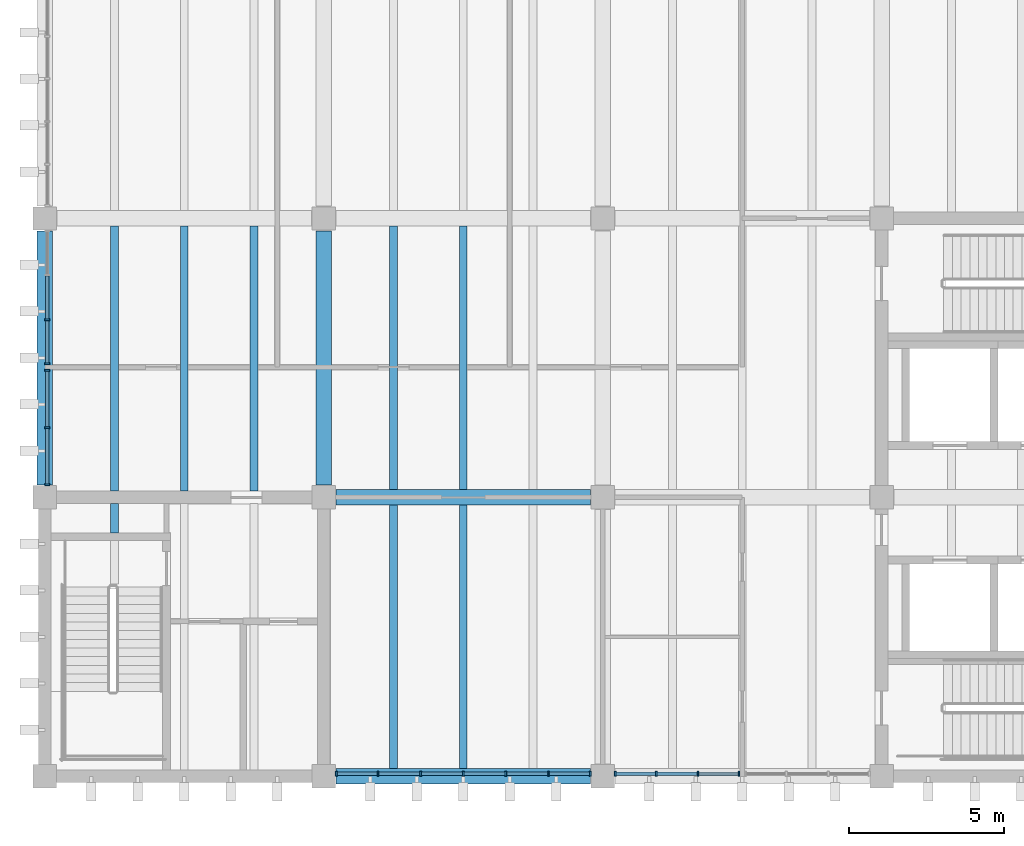
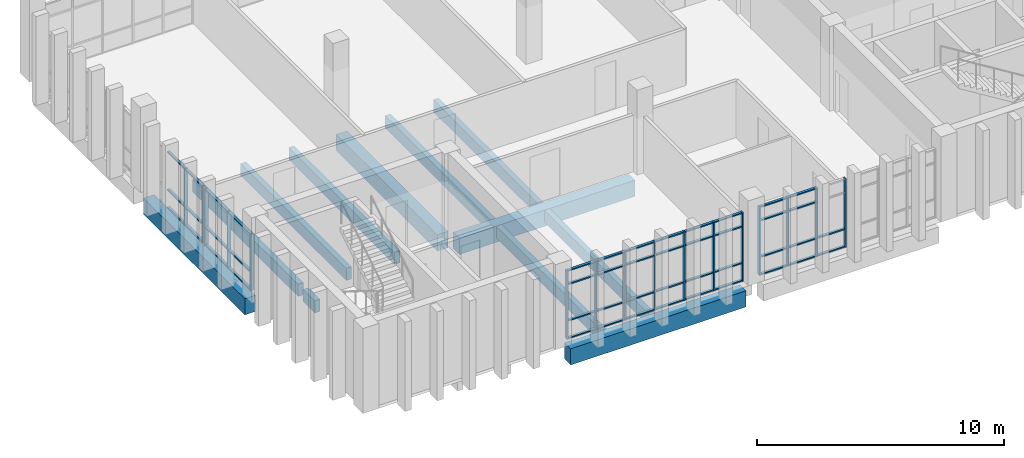
# One storey, part 2 of 14: 62 members, 12 beams, 4 elements without a shape of their own.
"""IFC4 building model written with IfcOpenShell, lengths in metres."""

from ifc_helpers import new_model, si_unit, direction, frame, origin, origin_2d, place, context, subcontext, project, spatial, rectangle, extrude, material, material_profile, profile_set, type_object, element, aggregate, save


model = new_model("IFC4")

# Units and contexts
model_context = context("Model", 3, precision=1e-05, world=origin(), true_north=direction((0.0, 1.0)))
body_context = subcontext(model_context, "Body", "Model", "MODEL_VIEW")
ifc_project = project(units=[si_unit("LENGTHUNIT", "METRE"), si_unit("AREAUNIT", "SQUARE_METRE"), si_unit("VOLUMEUNIT", "CUBIC_METRE"), si_unit("PLANEANGLEUNIT", "RADIAN"), si_unit("MASSUNIT", "GRAM", prefix="KILO")], contexts=[model_context])

# Site, building, storey
site_placement = place(None, origin())
site = spatial("IfcSite", under=ifc_project, at=site_placement, CompositionType="ELEMENT")
building_placement = place(site_placement, origin())
building = spatial("IfcBuilding", under=site, at=building_placement, Name="Merrow Basin Faculty of Sciences", CompositionType="ELEMENT")
storey_placement = place(building_placement, frame((0.0, 0.0, 27.0)))
storey = spatial("IfcBuildingStorey", under=building, at=storey_placement, Name="L06", CompositionType="ELEMENT", Elevation=27.0)

# Curtain wall, members
ifc_material_1 = material(Name="Aluminium alloy 6063", Category="aluminium")
curtain_wall_type = type_object("IfcCurtainWallType", Name="Unitised curtain wall 160", PredefinedType="NOTDEFINED", material=ifc_material_1)
curtain_wall_1_placement = place(storey_placement, origin())
curtain_wall_1 = element("IfcCurtainWall", 1, at=curtain_wall_1_placement, inside=storey, type_object=curtain_wall_type, Name="W curtain wall L06 1", PredefinedType="NOTDEFINED")
ifc_material_2 = material(Name="Aluminium alloy 6063", Category="aluminium")
ifc_material_profile_1 = material_profile(ifc_material_2, rectangle(XDim=0.159912109375, YDim=0.06005859375, at=origin_2d()))
ifc_profile_set_1 = profile_set([ifc_material_profile_1], Name="Aluminium alloy 6063")
member_type_1 = type_object("IfcMemberType", Name="Aluminium mullion 60x160", PredefinedType="MULLION", material=ifc_profile_set_1)
member_1_placement = place(storey_placement, frame((18.080078125, 151.405029296875, 0.0), z_axis=(0.0, 0.0, 1.0), x_axis=(-1.0, 0.0, 0.0)))
member_1 = element("IfcMember", 2, at=member_1_placement, type_object=member_type_1, Name="CW3 mullion 1", PredefinedType="MULLION", context=body_context, shape_type="SweptSolid", body=[
    extrude(rectangle(XDim=0.159912109375, YDim=0.06005859375, at=origin_2d()), origin(), (0.0, 0.0, 1.0), 2.800048828125),
])
member_2_placement = place(storey_placement, frame((18.080078125, 153.25, 0.0), z_axis=(0.0, 0.0, 1.0), x_axis=(-1.0, 0.0, 0.0)))
member_2 = element("IfcMember", 3, at=member_2_placement, type_object=member_type_1, Name="CW3 mullion 2", PredefinedType="MULLION", context=body_context, shape_type="SweptSolid", body=[
    extrude(rectangle(XDim=0.159912109375, YDim=0.06005859375, at=origin_2d()), origin(), (0.0, 0.0, 1.0), 2.800048828125),
])
member_3_placement = place(storey_placement, frame((18.080078125, 155.094970703125, 0.0), z_axis=(0.0, 0.0, 1.0), x_axis=(-1.0, 0.0, 0.0)))
member_3 = element("IfcMember", 4, at=member_3_placement, type_object=member_type_1, Name="CW3 mullion 3", PredefinedType="MULLION", context=body_context, shape_type="SweptSolid", body=[
    extrude(rectangle(XDim=0.159912109375, YDim=0.06005859375, at=origin_2d()), origin(), (0.0, 0.0, 1.0), 2.800048828125),
])

curtain_wall_2_placement = place(storey_placement, origin())
curtain_wall_2 = element("IfcCurtainWall", 5, at=curtain_wall_2_placement, inside=storey, type_object=curtain_wall_type, Name="W curtain wall L06 2", PredefinedType="NOTDEFINED")
member_4_placement = place(storey_placement, frame((18.080078125, 155.304931640625, 0.0), z_axis=(0.0, 0.0, 1.0), x_axis=(-1.0, 0.0, 0.0)))
member_4 = element("IfcMember", 6, at=member_4_placement, type_object=member_type_1, Name="CW3 mullion 1", PredefinedType="MULLION", context=body_context, shape_type="SweptSolid", body=[
    extrude(rectangle(XDim=0.159912109375, YDim=0.06005859375, at=origin_2d()), origin(), (0.0, 0.0, 1.0), 2.800048828125),
])
member_5_placement = place(storey_placement, frame((18.080078125, 156.72509765625, 0.0), z_axis=(0.0, 0.0, 1.0), x_axis=(-1.0, 0.0, 0.0)))
member_5 = element("IfcMember", 7, at=member_5_placement, type_object=member_type_1, Name="CW3 mullion 2", PredefinedType="MULLION", context=body_context, shape_type="SweptSolid", body=[
    extrude(rectangle(XDim=0.159912109375, YDim=0.06005859375, at=origin_2d()), origin(), (0.0, 0.0, 1.0), 2.800048828125),
])

curtain_wall_3_placement = place(storey_placement, origin())
curtain_wall_3 = element("IfcCurtainWall", 8, at=curtain_wall_3_placement, inside=storey, type_object=curtain_wall_type, Name="S curtain wall L06 1", PredefinedType="NOTDEFINED")
member_6_placement = place(storey_placement, frame((27.405029296875, 142.080078125, 0.0), z_axis=(0.0, 0.0, 1.0), x_axis=(0.0, 1.0, 0.0)))
member_6 = element("IfcMember", 9, at=member_6_placement, type_object=member_type_1, Name="CW3 mullion 1", PredefinedType="MULLION", context=body_context, shape_type="SweptSolid", body=[
    extrude(rectangle(XDim=0.159912109375, YDim=0.06005859375, at=origin_2d()), origin(), (0.0, 0.0, 1.0), 3.39990234375),
])
member_7_placement = place(storey_placement, frame((28.75, 142.080078125, 0.0), z_axis=(0.0, 0.0, 1.0), x_axis=(0.0, 1.0, 0.0)))
member_7 = element("IfcMember", 10, at=member_7_placement, type_object=member_type_1, Name="CW3 mullion 2", PredefinedType="MULLION", context=body_context, shape_type="SweptSolid", body=[
    extrude(rectangle(XDim=0.159912109375, YDim=0.06005859375, at=origin_2d()), origin(), (0.0, 0.0, 1.0), 3.39990234375),
])
member_8_placement = place(storey_placement, frame((30.125, 142.080078125, 0.0), z_axis=(0.0, 0.0, 1.0), x_axis=(0.0, 1.0, 0.0)))
member_8 = element("IfcMember", 11, at=member_8_placement, type_object=member_type_1, Name="CW3 mullion 3", PredefinedType="MULLION", context=body_context, shape_type="SweptSolid", body=[
    extrude(rectangle(XDim=0.159912109375, YDim=0.06005859375, at=origin_2d()), origin(), (0.0, 0.0, 1.0), 3.39990234375),
])
member_9_placement = place(storey_placement, frame((31.5, 142.080078125, 0.0), z_axis=(0.0, 0.0, 1.0), x_axis=(0.0, 1.0, 0.0)))
member_9 = element("IfcMember", 12, at=member_9_placement, type_object=member_type_1, Name="CW3 mullion 4", PredefinedType="MULLION", context=body_context, shape_type="SweptSolid", body=[
    extrude(rectangle(XDim=0.159912109375, YDim=0.06005859375, at=origin_2d()), origin(), (0.0, 0.0, 1.0), 3.39990234375),
])
member_10_placement = place(storey_placement, frame((32.875, 142.080078125, 0.0), z_axis=(0.0, 0.0, 1.0), x_axis=(0.0, 1.0, 0.0)))
member_10 = element("IfcMember", 13, at=member_10_placement, type_object=member_type_1, Name="CW3 mullion 5", PredefinedType="MULLION", context=body_context, shape_type="SweptSolid", body=[
    extrude(rectangle(XDim=0.159912109375, YDim=0.06005859375, at=origin_2d()), origin(), (0.0, 0.0, 1.0), 3.39990234375),
])
member_11_placement = place(storey_placement, frame((34.25, 142.080078125, 0.0), z_axis=(0.0, 0.0, 1.0), x_axis=(0.0, 1.0, 0.0)))
member_11 = element("IfcMember", 14, at=member_11_placement, type_object=member_type_1, Name="CW3 mullion 6", PredefinedType="MULLION", context=body_context, shape_type="SweptSolid", body=[
    extrude(rectangle(XDim=0.159912109375, YDim=0.06005859375, at=origin_2d()), origin(), (0.0, 0.0, 1.0), 3.39990234375),
])
member_12_placement = place(storey_placement, frame((35.594970703125, 142.080078125, 0.0), z_axis=(0.0, 0.0, 1.0), x_axis=(0.0, 1.0, 0.0)))
member_12 = element("IfcMember", 15, at=member_12_placement, type_object=member_type_1, Name="CW3 mullion 7", PredefinedType="MULLION", context=body_context, shape_type="SweptSolid", body=[
    extrude(rectangle(XDim=0.159912109375, YDim=0.06005859375, at=origin_2d()), origin(), (0.0, 0.0, 1.0), 3.39990234375),
])

curtain_wall_4_placement = place(storey_placement, origin())
curtain_wall_4 = element("IfcCurtainWall", 16, at=curtain_wall_4_placement, inside=storey, type_object=curtain_wall_type, Name="S curtain wall L06 2", PredefinedType="NOTDEFINED")
member_13_placement = place(storey_placement, frame((36.405029296875, 142.080078125, 0.0), z_axis=(0.0, 0.0, 1.0), x_axis=(0.0, 1.0, 0.0)))
member_13 = element("IfcMember", 17, at=member_13_placement, type_object=member_type_1, Name="CW3 mullion 1", PredefinedType="MULLION", context=body_context, shape_type="SweptSolid", body=[
    extrude(rectangle(XDim=0.159912109375, YDim=0.06005859375, at=origin_2d()), origin(), (0.0, 0.0, 1.0), 3.39990234375),
])
member_14_placement = place(storey_placement, frame((37.72509765625, 142.080078125, 0.0), z_axis=(0.0, 0.0, 1.0), x_axis=(0.0, 1.0, 0.0)))
member_14 = element("IfcMember", 18, at=member_14_placement, type_object=member_type_1, Name="CW3 mullion 2", PredefinedType="MULLION", context=body_context, shape_type="SweptSolid", body=[
    extrude(rectangle(XDim=0.159912109375, YDim=0.06005859375, at=origin_2d()), origin(), (0.0, 0.0, 1.0), 3.39990234375),
])
member_15_placement = place(storey_placement, frame((39.074951171875, 142.080078125, 0.0), z_axis=(0.0, 0.0, 1.0), x_axis=(0.0, 1.0, 0.0)))
member_15 = element("IfcMember", 19, at=member_15_placement, type_object=member_type_1, Name="CW3 mullion 3", PredefinedType="MULLION", context=body_context, shape_type="SweptSolid", body=[
    extrude(rectangle(XDim=0.159912109375, YDim=0.06005859375, at=origin_2d()), origin(), (0.0, 0.0, 1.0), 3.39990234375),
])
member_16_placement = place(storey_placement, frame((40.39501953125, 142.080078125, 0.0), z_axis=(0.0, 0.0, 1.0), x_axis=(0.0, 1.0, 0.0)))
member_16 = element("IfcMember", 20, at=member_16_placement, type_object=member_type_1, Name="CW3 mullion 4", PredefinedType="MULLION", context=body_context, shape_type="SweptSolid", body=[
    extrude(rectangle(XDim=0.159912109375, YDim=0.06005859375, at=origin_2d()), origin(), (0.0, 0.0, 1.0), 3.39990234375),
])

# Member
ifc_material_3 = material(Name="Aluminium alloy 6063", Category="aluminium")
ifc_material_profile_2 = material_profile(ifc_material_3, rectangle(XDim=0.1201171875, YDim=0.06005859375, at=origin_2d()))
ifc_profile_set_2 = profile_set([ifc_material_profile_2], Name="Aluminium alloy 6063")
member_type_2 = type_object("IfcMemberType", Name="Aluminium transom 60x120", PredefinedType="USERDEFINED", material=ifc_profile_set_2)
member_17_placement = place(storey_placement, frame((18.080078125, 151.43505859375, 0.030029296875), z_axis=(0.0, 1.0, 0.0), x_axis=(-1.0, 0.0, 0.0)))
member_17 = element("IfcMember", 21, at=member_17_placement, type_object=member_type_2, Name="CW3 transom 1.1", ObjectType="TRANSOM", PredefinedType="USERDEFINED", context=body_context, shape_type="SweptSolid", body=[
    extrude(rectangle(XDim=0.1201171875, YDim=0.06005859375, at=origin_2d()), origin(), (0.0, 0.0, 1.0), 1.784912109375),
])

member_18_placement = place(storey_placement, frame((18.080078125, 151.43505859375, 0.89990234375), z_axis=(0.0, 1.0, 0.0), x_axis=(-1.0, 0.0, 0.0)))
member_18 = element("IfcMember", 22, at=member_18_placement, type_object=member_type_2, Name="CW3 transom 1.2", ObjectType="TRANSOM", PredefinedType="USERDEFINED", context=body_context, shape_type="SweptSolid", body=[
    extrude(rectangle(XDim=0.1201171875, YDim=0.06005859375, at=origin_2d()), origin(), (0.0, 0.0, 1.0), 1.784912109375),
])

member_19_placement = place(storey_placement, frame((18.080078125, 151.43505859375, 2.77001953125), z_axis=(0.0, 1.0, 0.0), x_axis=(-1.0, 0.0, 0.0)))
member_19 = element("IfcMember", 23, at=member_19_placement, type_object=member_type_2, Name="CW3 transom 1.3", ObjectType="TRANSOM", PredefinedType="USERDEFINED", context=body_context, shape_type="SweptSolid", body=[
    extrude(rectangle(XDim=0.1201171875, YDim=0.06005859375, at=origin_2d()), origin(), (0.0, 0.0, 1.0), 1.784912109375),
])

member_20_placement = place(storey_placement, frame((18.080078125, 153.280029296875, 0.030029296875), z_axis=(0.0, 1.0, 0.0), x_axis=(-1.0, 0.0, 0.0)))
member_20 = element("IfcMember", 24, at=member_20_placement, type_object=member_type_2, Name="CW3 transom 2.1", ObjectType="TRANSOM", PredefinedType="USERDEFINED", context=body_context, shape_type="SweptSolid", body=[
    extrude(rectangle(XDim=0.1201171875, YDim=0.06005859375, at=origin_2d()), origin(), (0.0, 0.0, 1.0), 1.784912109375),
])

member_21_placement = place(storey_placement, frame((18.080078125, 153.280029296875, 0.89990234375), z_axis=(0.0, 1.0, 0.0), x_axis=(-1.0, 0.0, 0.0)))
member_21 = element("IfcMember", 25, at=member_21_placement, type_object=member_type_2, Name="CW3 transom 2.2", ObjectType="TRANSOM", PredefinedType="USERDEFINED", context=body_context, shape_type="SweptSolid", body=[
    extrude(rectangle(XDim=0.1201171875, YDim=0.06005859375, at=origin_2d()), origin(), (0.0, 0.0, 1.0), 1.784912109375),
])

member_22_placement = place(storey_placement, frame((18.080078125, 153.280029296875, 2.77001953125), z_axis=(0.0, 1.0, 0.0), x_axis=(-1.0, 0.0, 0.0)))
member_22 = element("IfcMember", 26, at=member_22_placement, type_object=member_type_2, Name="CW3 transom 2.3", ObjectType="TRANSOM", PredefinedType="USERDEFINED", context=body_context, shape_type="SweptSolid", body=[
    extrude(rectangle(XDim=0.1201171875, YDim=0.06005859375, at=origin_2d()), origin(), (0.0, 0.0, 1.0), 1.784912109375),
])

aggregate(curtain_wall_1, [member_1, member_2, member_3, member_17, member_18, member_19, member_20, member_21, member_22])

member_23_placement = place(storey_placement, frame((18.080078125, 155.3349609375, 0.030029296875), z_axis=(0.0, 1.0, 0.0), x_axis=(-1.0, 0.0, 0.0)))
member_23 = element("IfcMember", 27, at=member_23_placement, type_object=member_type_2, Name="CW3 transom 1.1", ObjectType="TRANSOM", PredefinedType="USERDEFINED", context=body_context, shape_type="SweptSolid", body=[
    extrude(rectangle(XDim=0.1201171875, YDim=0.06005859375, at=origin_2d()), origin(), (0.0, 0.0, 1.0), 1.360107421875),
])

member_24_placement = place(storey_placement, frame((18.080078125, 155.3349609375, 0.89990234375), z_axis=(0.0, 1.0, 0.0), x_axis=(-1.0, 0.0, 0.0)))
member_24 = element("IfcMember", 28, at=member_24_placement, type_object=member_type_2, Name="CW3 transom 1.2", ObjectType="TRANSOM", PredefinedType="USERDEFINED", context=body_context, shape_type="SweptSolid", body=[
    extrude(rectangle(XDim=0.1201171875, YDim=0.06005859375, at=origin_2d()), origin(), (0.0, 0.0, 1.0), 1.360107421875),
])

member_25_placement = place(storey_placement, frame((18.080078125, 155.3349609375, 2.77001953125), z_axis=(0.0, 1.0, 0.0), x_axis=(-1.0, 0.0, 0.0)))
member_25 = element("IfcMember", 29, at=member_25_placement, type_object=member_type_2, Name="CW3 transom 1.3", ObjectType="TRANSOM", PredefinedType="USERDEFINED", context=body_context, shape_type="SweptSolid", body=[
    extrude(rectangle(XDim=0.1201171875, YDim=0.06005859375, at=origin_2d()), origin(), (0.0, 0.0, 1.0), 1.360107421875),
])

member_26_placement = place(storey_placement, frame((18.080078125, 156.7548828125, 0.030029296875), z_axis=(0.0, 1.0, 0.0), x_axis=(-1.0, 0.0, 0.0)))
member_26 = element("IfcMember", 30, at=member_26_placement, type_object=member_type_2, Name="CW3 transom 2.1", ObjectType="TRANSOM", PredefinedType="USERDEFINED", context=body_context, shape_type="SweptSolid", body=[
    extrude(rectangle(XDim=0.1201171875, YDim=0.06005859375, at=origin_2d()), origin(), (0.0, 0.0, 1.0), 1.39013671875),
])

member_27_placement = place(storey_placement, frame((18.080078125, 156.7548828125, 0.89990234375), z_axis=(0.0, 1.0, 0.0), x_axis=(-1.0, 0.0, 0.0)))
member_27 = element("IfcMember", 31, at=member_27_placement, type_object=member_type_2, Name="CW3 transom 2.2", ObjectType="TRANSOM", PredefinedType="USERDEFINED", context=body_context, shape_type="SweptSolid", body=[
    extrude(rectangle(XDim=0.1201171875, YDim=0.06005859375, at=origin_2d()), origin(), (0.0, 0.0, 1.0), 1.39013671875),
])

member_28_placement = place(storey_placement, frame((18.080078125, 156.7548828125, 2.77001953125), z_axis=(0.0, 1.0, 0.0), x_axis=(-1.0, 0.0, 0.0)))
member_28 = element("IfcMember", 32, at=member_28_placement, type_object=member_type_2, Name="CW3 transom 2.3", ObjectType="TRANSOM", PredefinedType="USERDEFINED", context=body_context, shape_type="SweptSolid", body=[
    extrude(rectangle(XDim=0.1201171875, YDim=0.06005859375, at=origin_2d()), origin(), (0.0, 0.0, 1.0), 1.39013671875),
])

aggregate(curtain_wall_2, [member_4, member_5, member_23, member_24, member_25, member_26, member_27, member_28])

member_29_placement = place(storey_placement, frame((27.43505859375, 142.080078125, 0.030029296875), z_axis=(1.0, 0.0, 0.0), x_axis=(0.0, 1.0, 0.0)))
member_29 = element("IfcMember", 33, at=member_29_placement, type_object=member_type_2, Name="CW3 transom 1.1", ObjectType="TRANSOM", PredefinedType="USERDEFINED", context=body_context, shape_type="SweptSolid", body=[
    extrude(rectangle(XDim=0.1201171875, YDim=0.06005859375, at=origin_2d()), origin(), (0.0, 0.0, 1.0), 1.284912109375),
])

member_30_placement = place(storey_placement, frame((27.43505859375, 142.080078125, 0.89990234375), z_axis=(1.0, 0.0, 0.0), x_axis=(0.0, 1.0, 0.0)))
member_30 = element("IfcMember", 34, at=member_30_placement, type_object=member_type_2, Name="CW3 transom 1.2", ObjectType="TRANSOM", PredefinedType="USERDEFINED", context=body_context, shape_type="SweptSolid", body=[
    extrude(rectangle(XDim=0.1201171875, YDim=0.06005859375, at=origin_2d()), origin(), (0.0, 0.0, 1.0), 1.284912109375),
])

member_31_placement = place(storey_placement, frame((27.43505859375, 142.080078125, 2.699951171875), z_axis=(1.0, 0.0, 0.0), x_axis=(0.0, 1.0, 0.0)))
member_31 = element("IfcMember", 35, at=member_31_placement, type_object=member_type_2, Name="CW3 transom 1.3", ObjectType="TRANSOM", PredefinedType="USERDEFINED", context=body_context, shape_type="SweptSolid", body=[
    extrude(rectangle(XDim=0.1201171875, YDim=0.06005859375, at=origin_2d()), origin(), (0.0, 0.0, 1.0), 1.284912109375),
])

member_32_placement = place(storey_placement, frame((27.43505859375, 142.080078125, 3.3701171875), z_axis=(1.0, 0.0, 0.0), x_axis=(0.0, 1.0, 0.0)))
member_32 = element("IfcMember", 36, at=member_32_placement, type_object=member_type_2, Name="CW3 transom 1.4", ObjectType="TRANSOM", PredefinedType="USERDEFINED", context=body_context, shape_type="SweptSolid", body=[
    extrude(rectangle(XDim=0.1201171875, YDim=0.06005859375, at=origin_2d()), origin(), (0.0, 0.0, 1.0), 1.284912109375),
])

member_33_placement = place(storey_placement, frame((28.780029296875, 142.080078125, 0.030029296875), z_axis=(1.0, 0.0, 0.0), x_axis=(0.0, 1.0, 0.0)))
member_33 = element("IfcMember", 37, at=member_33_placement, type_object=member_type_2, Name="CW3 transom 2.1", ObjectType="TRANSOM", PredefinedType="USERDEFINED", context=body_context, shape_type="SweptSolid", body=[
    extrude(rectangle(XDim=0.1201171875, YDim=0.06005859375, at=origin_2d()), origin(), (0.0, 0.0, 1.0), 1.31494140625),
])

member_34_placement = place(storey_placement, frame((28.780029296875, 142.080078125, 0.89990234375), z_axis=(1.0, 0.0, 0.0), x_axis=(0.0, 1.0, 0.0)))
member_34 = element("IfcMember", 38, at=member_34_placement, type_object=member_type_2, Name="CW3 transom 2.2", ObjectType="TRANSOM", PredefinedType="USERDEFINED", context=body_context, shape_type="SweptSolid", body=[
    extrude(rectangle(XDim=0.1201171875, YDim=0.06005859375, at=origin_2d()), origin(), (0.0, 0.0, 1.0), 1.31494140625),
])

member_35_placement = place(storey_placement, frame((28.780029296875, 142.080078125, 2.699951171875), z_axis=(1.0, 0.0, 0.0), x_axis=(0.0, 1.0, 0.0)))
member_35 = element("IfcMember", 39, at=member_35_placement, type_object=member_type_2, Name="CW3 transom 2.3", ObjectType="TRANSOM", PredefinedType="USERDEFINED", context=body_context, shape_type="SweptSolid", body=[
    extrude(rectangle(XDim=0.1201171875, YDim=0.06005859375, at=origin_2d()), origin(), (0.0, 0.0, 1.0), 1.31494140625),
])

member_36_placement = place(storey_placement, frame((28.780029296875, 142.080078125, 3.3701171875), z_axis=(1.0, 0.0, 0.0), x_axis=(0.0, 1.0, 0.0)))
member_36 = element("IfcMember", 40, at=member_36_placement, type_object=member_type_2, Name="CW3 transom 2.4", ObjectType="TRANSOM", PredefinedType="USERDEFINED", context=body_context, shape_type="SweptSolid", body=[
    extrude(rectangle(XDim=0.1201171875, YDim=0.06005859375, at=origin_2d()), origin(), (0.0, 0.0, 1.0), 1.31494140625),
])

member_37_placement = place(storey_placement, frame((30.155029296875, 142.080078125, 0.030029296875), z_axis=(1.0, 0.0, 0.0), x_axis=(0.0, 1.0, 0.0)))
member_37 = element("IfcMember", 41, at=member_37_placement, type_object=member_type_2, Name="CW3 transom 3.1", ObjectType="TRANSOM", PredefinedType="USERDEFINED", context=body_context, shape_type="SweptSolid", body=[
    extrude(rectangle(XDim=0.1201171875, YDim=0.06005859375, at=origin_2d()), origin(), (0.0, 0.0, 1.0), 1.31494140625),
])

member_38_placement = place(storey_placement, frame((30.155029296875, 142.080078125, 0.89990234375), z_axis=(1.0, 0.0, 0.0), x_axis=(0.0, 1.0, 0.0)))
member_38 = element("IfcMember", 42, at=member_38_placement, type_object=member_type_2, Name="CW3 transom 3.2", ObjectType="TRANSOM", PredefinedType="USERDEFINED", context=body_context, shape_type="SweptSolid", body=[
    extrude(rectangle(XDim=0.1201171875, YDim=0.06005859375, at=origin_2d()), origin(), (0.0, 0.0, 1.0), 1.31494140625),
])

member_39_placement = place(storey_placement, frame((30.155029296875, 142.080078125, 2.699951171875), z_axis=(1.0, 0.0, 0.0), x_axis=(0.0, 1.0, 0.0)))
member_39 = element("IfcMember", 43, at=member_39_placement, type_object=member_type_2, Name="CW3 transom 3.3", ObjectType="TRANSOM", PredefinedType="USERDEFINED", context=body_context, shape_type="SweptSolid", body=[
    extrude(rectangle(XDim=0.1201171875, YDim=0.06005859375, at=origin_2d()), origin(), (0.0, 0.0, 1.0), 1.31494140625),
])

member_40_placement = place(storey_placement, frame((30.155029296875, 142.080078125, 3.3701171875), z_axis=(1.0, 0.0, 0.0), x_axis=(0.0, 1.0, 0.0)))
member_40 = element("IfcMember", 44, at=member_40_placement, type_object=member_type_2, Name="CW3 transom 3.4", ObjectType="TRANSOM", PredefinedType="USERDEFINED", context=body_context, shape_type="SweptSolid", body=[
    extrude(rectangle(XDim=0.1201171875, YDim=0.06005859375, at=origin_2d()), origin(), (0.0, 0.0, 1.0), 1.31494140625),
])

member_41_placement = place(storey_placement, frame((31.530029296875, 142.080078125, 0.030029296875), z_axis=(1.0, 0.0, 0.0), x_axis=(0.0, 1.0, 0.0)))
member_41 = element("IfcMember", 45, at=member_41_placement, type_object=member_type_2, Name="CW3 transom 4.1", ObjectType="TRANSOM", PredefinedType="USERDEFINED", context=body_context, shape_type="SweptSolid", body=[
    extrude(rectangle(XDim=0.1201171875, YDim=0.06005859375, at=origin_2d()), origin(), (0.0, 0.0, 1.0), 1.31494140625),
])

member_42_placement = place(storey_placement, frame((31.530029296875, 142.080078125, 0.89990234375), z_axis=(1.0, 0.0, 0.0), x_axis=(0.0, 1.0, 0.0)))
member_42 = element("IfcMember", 46, at=member_42_placement, type_object=member_type_2, Name="CW3 transom 4.2", ObjectType="TRANSOM", PredefinedType="USERDEFINED", context=body_context, shape_type="SweptSolid", body=[
    extrude(rectangle(XDim=0.1201171875, YDim=0.06005859375, at=origin_2d()), origin(), (0.0, 0.0, 1.0), 1.31494140625),
])

member_43_placement = place(storey_placement, frame((31.530029296875, 142.080078125, 2.699951171875), z_axis=(1.0, 0.0, 0.0), x_axis=(0.0, 1.0, 0.0)))
member_43 = element("IfcMember", 47, at=member_43_placement, type_object=member_type_2, Name="CW3 transom 4.3", ObjectType="TRANSOM", PredefinedType="USERDEFINED", context=body_context, shape_type="SweptSolid", body=[
    extrude(rectangle(XDim=0.1201171875, YDim=0.06005859375, at=origin_2d()), origin(), (0.0, 0.0, 1.0), 1.31494140625),
])

member_44_placement = place(storey_placement, frame((31.530029296875, 142.080078125, 3.3701171875), z_axis=(1.0, 0.0, 0.0), x_axis=(0.0, 1.0, 0.0)))
member_44 = element("IfcMember", 48, at=member_44_placement, type_object=member_type_2, Name="CW3 transom 4.4", ObjectType="TRANSOM", PredefinedType="USERDEFINED", context=body_context, shape_type="SweptSolid", body=[
    extrude(rectangle(XDim=0.1201171875, YDim=0.06005859375, at=origin_2d()), origin(), (0.0, 0.0, 1.0), 1.31494140625),
])

member_45_placement = place(storey_placement, frame((32.905029296875, 142.080078125, 0.030029296875), z_axis=(1.0, 0.0, 0.0), x_axis=(0.0, 1.0, 0.0)))
member_45 = element("IfcMember", 49, at=member_45_placement, type_object=member_type_2, Name="CW3 transom 5.1", ObjectType="TRANSOM", PredefinedType="USERDEFINED", context=body_context, shape_type="SweptSolid", body=[
    extrude(rectangle(XDim=0.1201171875, YDim=0.06005859375, at=origin_2d()), origin(), (0.0, 0.0, 1.0), 1.31494140625),
])

member_46_placement = place(storey_placement, frame((32.905029296875, 142.080078125, 0.89990234375), z_axis=(1.0, 0.0, 0.0), x_axis=(0.0, 1.0, 0.0)))
member_46 = element("IfcMember", 50, at=member_46_placement, type_object=member_type_2, Name="CW3 transom 5.2", ObjectType="TRANSOM", PredefinedType="USERDEFINED", context=body_context, shape_type="SweptSolid", body=[
    extrude(rectangle(XDim=0.1201171875, YDim=0.06005859375, at=origin_2d()), origin(), (0.0, 0.0, 1.0), 1.31494140625),
])

member_47_placement = place(storey_placement, frame((32.905029296875, 142.080078125, 2.699951171875), z_axis=(1.0, 0.0, 0.0), x_axis=(0.0, 1.0, 0.0)))
member_47 = element("IfcMember", 51, at=member_47_placement, type_object=member_type_2, Name="CW3 transom 5.3", ObjectType="TRANSOM", PredefinedType="USERDEFINED", context=body_context, shape_type="SweptSolid", body=[
    extrude(rectangle(XDim=0.1201171875, YDim=0.06005859375, at=origin_2d()), origin(), (0.0, 0.0, 1.0), 1.31494140625),
])

member_48_placement = place(storey_placement, frame((32.905029296875, 142.080078125, 3.3701171875), z_axis=(1.0, 0.0, 0.0), x_axis=(0.0, 1.0, 0.0)))
member_48 = element("IfcMember", 52, at=member_48_placement, type_object=member_type_2, Name="CW3 transom 5.4", ObjectType="TRANSOM", PredefinedType="USERDEFINED", context=body_context, shape_type="SweptSolid", body=[
    extrude(rectangle(XDim=0.1201171875, YDim=0.06005859375, at=origin_2d()), origin(), (0.0, 0.0, 1.0), 1.31494140625),
])

member_49_placement = place(storey_placement, frame((34.280029296875, 142.080078125, 0.030029296875), z_axis=(1.0, 0.0, 0.0), x_axis=(0.0, 1.0, 0.0)))
member_49 = element("IfcMember", 53, at=member_49_placement, type_object=member_type_2, Name="CW3 transom 6.1", ObjectType="TRANSOM", PredefinedType="USERDEFINED", context=body_context, shape_type="SweptSolid", body=[
    extrude(rectangle(XDim=0.1201171875, YDim=0.06005859375, at=origin_2d()), origin(), (0.0, 0.0, 1.0), 1.284912109375),
])

member_50_placement = place(storey_placement, frame((34.280029296875, 142.080078125, 0.89990234375), z_axis=(1.0, 0.0, 0.0), x_axis=(0.0, 1.0, 0.0)))
member_50 = element("IfcMember", 54, at=member_50_placement, type_object=member_type_2, Name="CW3 transom 6.2", ObjectType="TRANSOM", PredefinedType="USERDEFINED", context=body_context, shape_type="SweptSolid", body=[
    extrude(rectangle(XDim=0.1201171875, YDim=0.06005859375, at=origin_2d()), origin(), (0.0, 0.0, 1.0), 1.284912109375),
])

member_51_placement = place(storey_placement, frame((34.280029296875, 142.080078125, 2.699951171875), z_axis=(1.0, 0.0, 0.0), x_axis=(0.0, 1.0, 0.0)))
member_51 = element("IfcMember", 55, at=member_51_placement, type_object=member_type_2, Name="CW3 transom 6.3", ObjectType="TRANSOM", PredefinedType="USERDEFINED", context=body_context, shape_type="SweptSolid", body=[
    extrude(rectangle(XDim=0.1201171875, YDim=0.06005859375, at=origin_2d()), origin(), (0.0, 0.0, 1.0), 1.284912109375),
])

member_52_placement = place(storey_placement, frame((34.280029296875, 142.080078125, 3.3701171875), z_axis=(1.0, 0.0, 0.0), x_axis=(0.0, 1.0, 0.0)))
member_52 = element("IfcMember", 56, at=member_52_placement, type_object=member_type_2, Name="CW3 transom 6.4", ObjectType="TRANSOM", PredefinedType="USERDEFINED", context=body_context, shape_type="SweptSolid", body=[
    extrude(rectangle(XDim=0.1201171875, YDim=0.06005859375, at=origin_2d()), origin(), (0.0, 0.0, 1.0), 1.284912109375),
])

aggregate(curtain_wall_3, [member_6, member_7, member_8, member_9, member_10, member_11, member_12, member_29, member_30, member_31, member_32, member_33, member_34, member_35, member_36, member_37, member_38, member_39, member_40, member_41, member_42, member_43, member_44, member_45, member_46, member_47, member_48, member_49, member_50, member_51, member_52])

member_53_placement = place(storey_placement, frame((36.43505859375, 142.080078125, 0.030029296875), z_axis=(1.0, 0.0, 0.0), x_axis=(0.0, 1.0, 0.0)))
member_53 = element("IfcMember", 57, at=member_53_placement, type_object=member_type_2, Name="CW3 transom 1.1", ObjectType="TRANSOM", PredefinedType="USERDEFINED", context=body_context, shape_type="SweptSolid", body=[
    extrude(rectangle(XDim=0.1201171875, YDim=0.06005859375, at=origin_2d()), origin(), (0.0, 0.0, 1.0), 1.260009765625),
])

member_54_placement = place(storey_placement, frame((36.43505859375, 142.080078125, 0.89990234375), z_axis=(1.0, 0.0, 0.0), x_axis=(0.0, 1.0, 0.0)))
member_54 = element("IfcMember", 58, at=member_54_placement, type_object=member_type_2, Name="CW3 transom 1.2", ObjectType="TRANSOM", PredefinedType="USERDEFINED", context=body_context, shape_type="SweptSolid", body=[
    extrude(rectangle(XDim=0.1201171875, YDim=0.06005859375, at=origin_2d()), origin(), (0.0, 0.0, 1.0), 1.260009765625),
])

member_55_placement = place(storey_placement, frame((36.43505859375, 142.080078125, 2.699951171875), z_axis=(1.0, 0.0, 0.0), x_axis=(0.0, 1.0, 0.0)))
member_55 = element("IfcMember", 59, at=member_55_placement, type_object=member_type_2, Name="CW3 transom 1.3", ObjectType="TRANSOM", PredefinedType="USERDEFINED", context=body_context, shape_type="SweptSolid", body=[
    extrude(rectangle(XDim=0.1201171875, YDim=0.06005859375, at=origin_2d()), origin(), (0.0, 0.0, 1.0), 1.260009765625),
])

member_56_placement = place(storey_placement, frame((36.43505859375, 142.080078125, 3.3701171875), z_axis=(1.0, 0.0, 0.0), x_axis=(0.0, 1.0, 0.0)))
member_56 = element("IfcMember", 60, at=member_56_placement, type_object=member_type_2, Name="CW3 transom 1.4", ObjectType="TRANSOM", PredefinedType="USERDEFINED", context=body_context, shape_type="SweptSolid", body=[
    extrude(rectangle(XDim=0.1201171875, YDim=0.06005859375, at=origin_2d()), origin(), (0.0, 0.0, 1.0), 1.260009765625),
])

member_57_placement = place(storey_placement, frame((37.7548828125, 142.080078125, 0.030029296875), z_axis=(1.0, 0.0, 0.0), x_axis=(0.0, 1.0, 0.0)))
member_57 = element("IfcMember", 61, at=member_57_placement, type_object=member_type_2, Name="CW3 transom 2.1", ObjectType="TRANSOM", PredefinedType="USERDEFINED", context=body_context, shape_type="SweptSolid", body=[
    extrude(rectangle(XDim=0.1201171875, YDim=0.06005859375, at=origin_2d()), origin(), (0.0, 0.0, 1.0), 1.2900390625),
])

member_58_placement = place(storey_placement, frame((37.7548828125, 142.080078125, 0.89990234375), z_axis=(1.0, 0.0, 0.0), x_axis=(0.0, 1.0, 0.0)))
member_58 = element("IfcMember", 62, at=member_58_placement, type_object=member_type_2, Name="CW3 transom 2.2", ObjectType="TRANSOM", PredefinedType="USERDEFINED", context=body_context, shape_type="SweptSolid", body=[
    extrude(rectangle(XDim=0.1201171875, YDim=0.06005859375, at=origin_2d()), origin(), (0.0, 0.0, 1.0), 1.2900390625),
])

member_59_placement = place(storey_placement, frame((37.7548828125, 142.080078125, 2.699951171875), z_axis=(1.0, 0.0, 0.0), x_axis=(0.0, 1.0, 0.0)))
member_59 = element("IfcMember", 63, at=member_59_placement, type_object=member_type_2, Name="CW3 transom 2.3", ObjectType="TRANSOM", PredefinedType="USERDEFINED", context=body_context, shape_type="SweptSolid", body=[
    extrude(rectangle(XDim=0.1201171875, YDim=0.06005859375, at=origin_2d()), origin(), (0.0, 0.0, 1.0), 1.2900390625),
])

member_60_placement = place(storey_placement, frame((37.7548828125, 142.080078125, 3.3701171875), z_axis=(1.0, 0.0, 0.0), x_axis=(0.0, 1.0, 0.0)))
member_60 = element("IfcMember", 64, at=member_60_placement, type_object=member_type_2, Name="CW3 transom 2.4", ObjectType="TRANSOM", PredefinedType="USERDEFINED", context=body_context, shape_type="SweptSolid", body=[
    extrude(rectangle(XDim=0.1201171875, YDim=0.06005859375, at=origin_2d()), origin(), (0.0, 0.0, 1.0), 1.2900390625),
])

member_61_placement = place(storey_placement, frame((39.10498046875, 142.080078125, 0.030029296875), z_axis=(1.0, 0.0, 0.0), x_axis=(0.0, 1.0, 0.0)))
member_61 = element("IfcMember", 65, at=member_61_placement, type_object=member_type_2, Name="CW3 transom 3.1", ObjectType="TRANSOM", PredefinedType="USERDEFINED", context=body_context, shape_type="SweptSolid", body=[
    extrude(rectangle(XDim=0.1201171875, YDim=0.06005859375, at=origin_2d()), origin(), (0.0, 0.0, 1.0), 1.260009765625),
])

member_62_placement = place(storey_placement, frame((39.10498046875, 142.080078125, 0.89990234375), z_axis=(1.0, 0.0, 0.0), x_axis=(0.0, 1.0, 0.0)))
member_62 = element("IfcMember", 66, at=member_62_placement, type_object=member_type_2, Name="CW3 transom 3.2", ObjectType="TRANSOM", PredefinedType="USERDEFINED", context=body_context, shape_type="SweptSolid", body=[
    extrude(rectangle(XDim=0.1201171875, YDim=0.06005859375, at=origin_2d()), origin(), (0.0, 0.0, 1.0), 1.260009765625),
])

aggregate(curtain_wall_4, [member_13, member_14, member_15, member_16, member_53, member_54, member_55, member_56, member_57, member_58, member_59, member_60, member_61, member_62])

# Beams
ifc_material_4 = material(Name="Concrete C40/50", Category="concrete")
ifc_material_profile_3 = material_profile(ifc_material_4, rectangle(XDim=0.5, YDim=0.800048828125, at=origin_2d()))
ifc_profile_set_3 = profile_set([ifc_material_profile_3], Name="Concrete C40/50")
beam_type_1 = type_object("IfcBeamType", Name="Beam RC500x800 C40/50", PredefinedType="BEAM", material=ifc_profile_set_3)
for number, where, z_axis, x_axis, name in (
    (67, (27.39990234375, 142.0, -0.699951171875), (1.0, 0.0, 0.0), (0.0, 1.0, 0.0), "B4 L06 001"),
    (68, (27.39990234375, 151.0, -0.699951171875), (1.0, 0.0, 0.0), (0.0, 1.0, 0.0), "B4 L06 003"),
    (69, (18.0, 151.39990234375, -0.699951171875), (0.0, 1.0, 0.0), (-1.0, 0.0, 0.0), "B4 L06 013"),
    (70, (27.0, 151.39990234375, -0.699951171875), (0.0, 1.0, 0.0), (-1.0, 0.0, 0.0), "B4 L06 015"),
):
    element("IfcBeam", number, at=place(storey_placement, frame(where, z_axis=z_axis, x_axis=x_axis)), inside=storey, type_object=beam_type_1, Name=name, PredefinedType="BEAM", context=body_context, shape_type="SweptSolid", body=[
        extrude(rectangle(XDim=0.5, YDim=0.800048828125, at=origin_2d()), origin(), (0.0, 0.0, 1.0), 8.2001953125),
    ])
ifc_material_5 = material(Name="Concrete C40/50", Category="concrete")
ifc_material_profile_4 = material_profile(ifc_material_5, rectangle(XDim=0.25, YDim=0.60009765625, at=origin_2d()))
ifc_profile_set_4 = profile_set([ifc_material_profile_4], Name="Concrete C40/50")
beam_type_2 = type_object("IfcBeamType", Name="Tower floor joist RC250x600 C40/50", PredefinedType="BEAM", material=ifc_profile_set_4)
beam_placement = place(storey_placement, frame((20.25, 149.85009765625, -0.60009765625), z_axis=(0.0, 1.0, 0.0), x_axis=(-1.0, 0.0, 0.0)))
element("IfcBeam", 71, at=beam_placement, inside=storey, type_object=beam_type_2, Name="JT1 L06 023", PredefinedType="BEAM", context=body_context, shape_type="SweptSolid", body=[
    extrude(rectangle(XDim=0.25, YDim=0.60009765625, at=origin_2d()), origin(), (0.0, 0.0, 1.0), 0.949951171875),
])
for number, where, z_axis, x_axis, name in (
    (72, (20.25, 151.199951171875, -0.60009765625), (0.0, 1.0, 0.0), (-1.0, 0.0, 0.0), "JT1 L06 026"),
    (73, (22.5, 151.199951171875, -0.60009765625), (0.0, 1.0, 0.0), (-1.0, 0.0, 0.0), "JT1 L06 027"),
    (74, (24.75, 151.199951171875, -0.60009765625), (0.0, 1.0, 0.0), (-1.0, 0.0, 0.0), "JT1 L06 028"),
):
    element("IfcBeam", number, at=place(storey_placement, frame(where, z_axis=z_axis, x_axis=x_axis)), inside=storey, type_object=beam_type_2, Name=name, PredefinedType="BEAM", context=body_context, shape_type="SweptSolid", body=[
        extrude(rectangle(XDim=0.25, YDim=0.60009765625, at=origin_2d()), origin(), (0.0, 0.0, 1.0), 8.550048828125),
    ])
for number, where, z_axis, x_axis, name in (
    (75, (29.25, 142.25, -0.60009765625), (0.0, 1.0, 0.0), (-1.0, 0.0, 0.0), "JT1 L06 032"),
    (76, (31.5, 142.25, -0.60009765625), (0.0, 1.0, 0.0), (-1.0, 0.0, 0.0), "JT1 L06 033"),
    (77, (29.25, 151.25, -0.60009765625), (0.0, 1.0, 0.0), (-1.0, 0.0, 0.0), "JT1 L06 035"),
    (78, (31.5, 151.25, -0.60009765625), (0.0, 1.0, 0.0), (-1.0, 0.0, 0.0), "JT1 L06 036"),
):
    element("IfcBeam", number, at=place(storey_placement, frame(where, z_axis=z_axis, x_axis=x_axis)), inside=storey, type_object=beam_type_2, Name=name, PredefinedType="BEAM", context=body_context, shape_type="SweptSolid", body=[
        extrude(rectangle(XDim=0.25, YDim=0.60009765625, at=origin_2d()), origin(), (0.0, 0.0, 1.0), 8.5),
    ])

save(model, "model.ifc")
